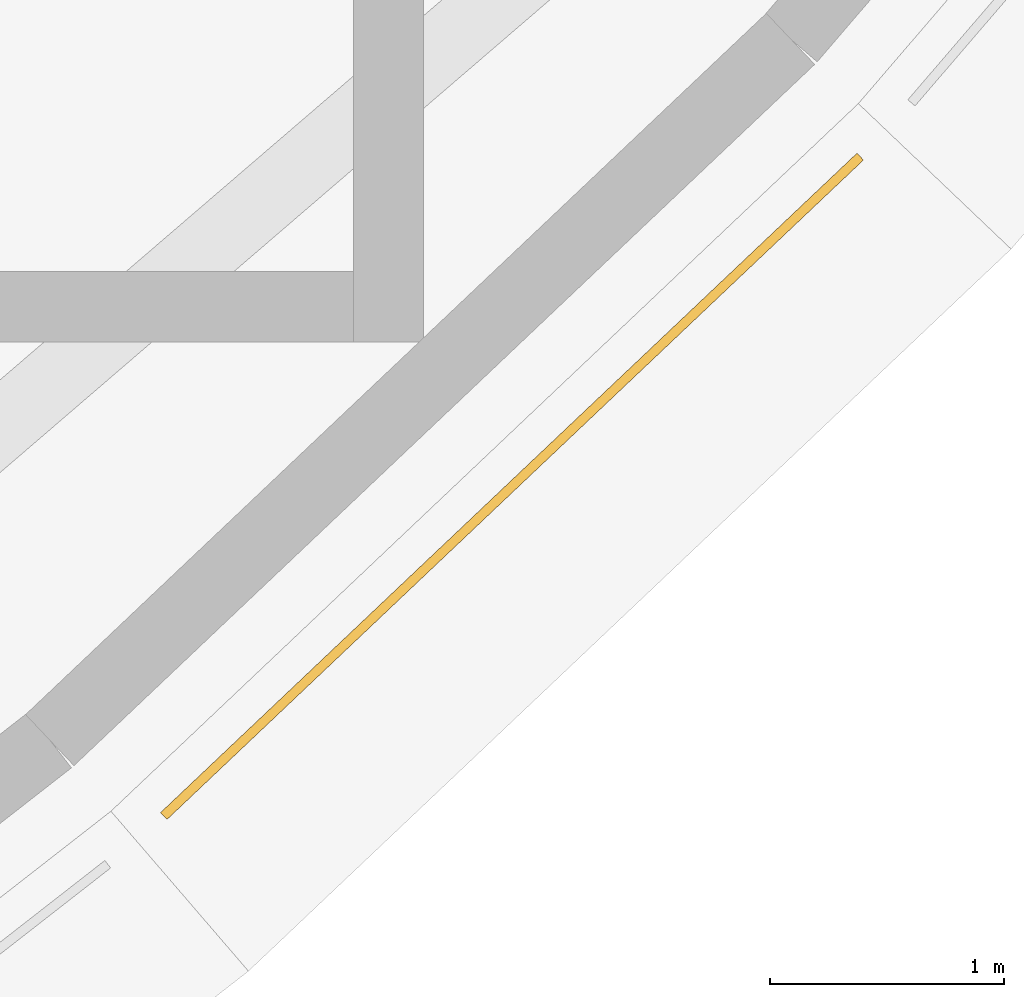
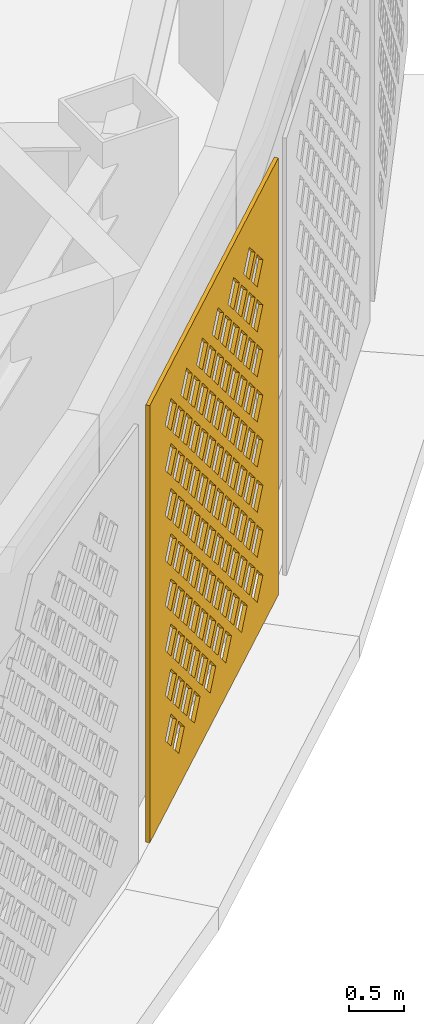
# One storey, part 59 of 63: 1 covering.
"""IFC4 building model written with IfcOpenShell, lengths in metres."""

from ifc_helpers import new_model, si_unit, direction, frame, origin, place, context, subcontext, project, spatial, polyline, outline, extrude, material, layer, layer_set, type_object, element, save


model = new_model("IFC4")

# Units and contexts
model_context = context("Model", 3, precision=1e-05, world=origin(), true_north=direction((0.0, 1.0)))
body_context = subcontext(model_context, "Body", "Model", "MODEL_VIEW")
ifc_project = project(units=[si_unit("LENGTHUNIT", "METRE"), si_unit("AREAUNIT", "SQUARE_METRE"), si_unit("VOLUMEUNIT", "CUBIC_METRE"), si_unit("PLANEANGLEUNIT", "RADIAN"), si_unit("MASSUNIT", "GRAM", prefix="KILO")], contexts=[model_context])

# Site, building, storey
site_placement = place(None, origin())
site = spatial("IfcSite", under=ifc_project, at=site_placement, CompositionType="ELEMENT")
building_placement = place(site_placement, origin())
building = spatial("IfcBuilding", under=site, at=building_placement, Name="Noorbagh Ring Tower", CompositionType="ELEMENT")
storey_placement = place(building_placement, frame((0.0, 0.0, 25.0)))
storey = spatial("IfcBuildingStorey", under=building, at=storey_placement, Name="L04", CompositionType="ELEMENT", Elevation=25.0)

# Covering
ifc_material = material(Name="Red sandstone jali", Category="masonry")
ifc_layer = layer(ifc_material, 0.0400390625)
ifc_layer_set = layer_set([ifc_layer], Name="Red sandstone jali")
covering_type = type_object("IfcCoveringType", Name="STY-JALI", PredefinedType="USERDEFINED", material=ifc_layer_set)
covering_placement = place(storey_placement, frame((38.953857421875, -26.739501953125, 0.449951171875), z_axis=(0.687531349275, -0.726154696855, 0.0), x_axis=(0.726154696855, 0.687531349275, 0.0)))
element("IfcCovering", 1, at=covering_placement, inside=storey, type_object=covering_type, Name="Jali screen", ObjectType="SCREEN", PredefinedType="USERDEFINED", context=body_context, shape_type="SweptSolid", body=[
    extrude(outline(polyline([(0.0, 0.0), (4.095947265625, 0.0), (4.095947265625, 4.85009765625), (0.0, 4.85009765625), (0.0, 0.0)]), holes=[polyline([(0.742919921875, 0.550048828125), (0.923095703125, 0.3701171875), (1.10302734375, 0.550048828125), (0.923095703125, 0.72998046875), (0.742919921875, 0.550048828125)]), polyline([(1.242919921875, 0.550048828125), (1.423095703125, 0.3701171875), (1.60302734375, 0.550048828125), (1.423095703125, 0.72998046875), (1.242919921875, 0.550048828125)]), polyline([(1.742919921875, 0.550048828125), (1.923095703125, 0.3701171875), (2.10302734375, 0.550048828125), (1.923095703125, 0.72998046875), (1.742919921875, 0.550048828125)]), polyline([(2.242919921875, 0.550048828125), (2.423095703125, 0.3701171875), (2.60302734375, 0.550048828125), (2.423095703125, 0.72998046875), (2.242919921875, 0.550048828125)]), polyline([(2.742919921875, 0.550048828125), (2.923095703125, 0.3701171875), (3.10302734375, 0.550048828125), (2.923095703125, 0.72998046875), (2.742919921875, 0.550048828125)]), polyline([(3.242919921875, 0.550048828125), (3.423095703125, 0.3701171875), (3.60302734375, 0.550048828125), (3.423095703125, 0.72998046875), (3.242919921875, 0.550048828125)]), polyline([(0.492919921875, 0.800048828125), (0.673095703125, 0.6201171875), (0.85302734375, 0.800048828125), (0.673095703125, 0.97998046875), (0.492919921875, 0.800048828125)]), polyline([(0.992919921875, 0.800048828125), (1.173095703125, 0.6201171875), (1.35302734375, 0.800048828125), (1.173095703125, 0.97998046875), (0.992919921875, 0.800048828125)]), polyline([(1.492919921875, 0.800048828125), (1.673095703125, 0.6201171875), (1.85302734375, 0.800048828125), (1.673095703125, 0.97998046875), (1.492919921875, 0.800048828125)]), polyline([(1.992919921875, 0.800048828125), (2.173095703125, 0.6201171875), (2.35302734375, 0.800048828125), (2.173095703125, 0.97998046875), (1.992919921875, 0.800048828125)]), polyline([(2.492919921875, 0.800048828125), (2.673095703125, 0.6201171875), (2.85302734375, 0.800048828125), (2.673095703125, 0.97998046875), (2.492919921875, 0.800048828125)]), polyline([(2.992919921875, 0.800048828125), (3.173095703125, 0.6201171875), (3.35302734375, 0.800048828125), (3.173095703125, 0.97998046875), (2.992919921875, 0.800048828125)]), polyline([(0.742919921875, 1.050048828125), (0.923095703125, 0.8701171875), (1.10302734375, 1.050048828125), (0.923095703125, 1.22998046875), (0.742919921875, 1.050048828125)]), polyline([(1.242919921875, 1.050048828125), (1.423095703125, 0.8701171875), (1.60302734375, 1.050048828125), (1.423095703125, 1.22998046875), (1.242919921875, 1.050048828125)]), polyline([(1.742919921875, 1.050048828125), (1.923095703125, 0.8701171875), (2.10302734375, 1.050048828125), (1.923095703125, 1.22998046875), (1.742919921875, 1.050048828125)]), polyline([(2.242919921875, 1.050048828125), (2.423095703125, 0.8701171875), (2.60302734375, 1.050048828125), (2.423095703125, 1.22998046875), (2.242919921875, 1.050048828125)]), polyline([(2.742919921875, 1.050048828125), (2.923095703125, 0.8701171875), (3.10302734375, 1.050048828125), (2.923095703125, 1.22998046875), (2.742919921875, 1.050048828125)]), polyline([(3.242919921875, 1.050048828125), (3.423095703125, 0.8701171875), (3.60302734375, 1.050048828125), (3.423095703125, 1.22998046875), (3.242919921875, 1.050048828125)]), polyline([(0.492919921875, 1.300048828125), (0.673095703125, 1.1201171875), (0.85302734375, 1.300048828125), (0.673095703125, 1.47998046875), (0.492919921875, 1.300048828125)]), polyline([(0.992919921875, 1.300048828125), (1.173095703125, 1.1201171875), (1.35302734375, 1.300048828125), (1.173095703125, 1.47998046875), (0.992919921875, 1.300048828125)]), polyline([(1.492919921875, 1.300048828125), (1.673095703125, 1.1201171875), (1.85302734375, 1.300048828125), (1.673095703125, 1.47998046875), (1.492919921875, 1.300048828125)]), polyline([(1.992919921875, 1.300048828125), (2.173095703125, 1.1201171875), (2.35302734375, 1.300048828125), (2.173095703125, 1.47998046875), (1.992919921875, 1.300048828125)]), polyline([(2.492919921875, 1.300048828125), (2.673095703125, 1.1201171875), (2.85302734375, 1.300048828125), (2.673095703125, 1.47998046875), (2.492919921875, 1.300048828125)]), polyline([(2.992919921875, 1.300048828125), (3.173095703125, 1.1201171875), (3.35302734375, 1.300048828125), (3.173095703125, 1.47998046875), (2.992919921875, 1.300048828125)]), polyline([(0.742919921875, 1.550048828125), (0.923095703125, 1.3701171875), (1.10302734375, 1.550048828125), (0.923095703125, 1.72998046875), (0.742919921875, 1.550048828125)]), polyline([(1.242919921875, 1.550048828125), (1.423095703125, 1.3701171875), (1.60302734375, 1.550048828125), (1.423095703125, 1.72998046875), (1.242919921875, 1.550048828125)]), polyline([(1.742919921875, 1.550048828125), (1.923095703125, 1.3701171875), (2.10302734375, 1.550048828125), (1.923095703125, 1.72998046875), (1.742919921875, 1.550048828125)]), polyline([(2.242919921875, 1.550048828125), (2.423095703125, 1.3701171875), (2.60302734375, 1.550048828125), (2.423095703125, 1.72998046875), (2.242919921875, 1.550048828125)]), polyline([(2.742919921875, 1.550048828125), (2.923095703125, 1.3701171875), (3.10302734375, 1.550048828125), (2.923095703125, 1.72998046875), (2.742919921875, 1.550048828125)]), polyline([(3.242919921875, 1.550048828125), (3.423095703125, 1.3701171875), (3.60302734375, 1.550048828125), (3.423095703125, 1.72998046875), (3.242919921875, 1.550048828125)]), polyline([(0.492919921875, 1.800048828125), (0.673095703125, 1.6201171875), (0.85302734375, 1.800048828125), (0.673095703125, 1.97998046875), (0.492919921875, 1.800048828125)]), polyline([(0.992919921875, 1.800048828125), (1.173095703125, 1.6201171875), (1.35302734375, 1.800048828125), (1.173095703125, 1.97998046875), (0.992919921875, 1.800048828125)]), polyline([(1.492919921875, 1.800048828125), (1.673095703125, 1.6201171875), (1.85302734375, 1.800048828125), (1.673095703125, 1.97998046875), (1.492919921875, 1.800048828125)]), polyline([(1.992919921875, 1.800048828125), (2.173095703125, 1.6201171875), (2.35302734375, 1.800048828125), (2.173095703125, 1.97998046875), (1.992919921875, 1.800048828125)]), polyline([(2.492919921875, 1.800048828125), (2.673095703125, 1.6201171875), (2.85302734375, 1.800048828125), (2.673095703125, 1.97998046875), (2.492919921875, 1.800048828125)]), polyline([(2.992919921875, 1.800048828125), (3.173095703125, 1.6201171875), (3.35302734375, 1.800048828125), (3.173095703125, 1.97998046875), (2.992919921875, 1.800048828125)]), polyline([(0.742919921875, 2.050048828125), (0.923095703125, 1.8701171875), (1.10302734375, 2.050048828125), (0.923095703125, 2.22998046875), (0.742919921875, 2.050048828125)]), polyline([(1.242919921875, 2.050048828125), (1.423095703125, 1.8701171875), (1.60302734375, 2.050048828125), (1.423095703125, 2.22998046875), (1.242919921875, 2.050048828125)]), polyline([(1.742919921875, 2.050048828125), (1.923095703125, 1.8701171875), (2.10302734375, 2.050048828125), (1.923095703125, 2.22998046875), (1.742919921875, 2.050048828125)]), polyline([(2.242919921875, 2.050048828125), (2.423095703125, 1.8701171875), (2.60302734375, 2.050048828125), (2.423095703125, 2.22998046875), (2.242919921875, 2.050048828125)]), polyline([(2.742919921875, 2.050048828125), (2.923095703125, 1.8701171875), (3.10302734375, 2.050048828125), (2.923095703125, 2.22998046875), (2.742919921875, 2.050048828125)]), polyline([(3.242919921875, 2.050048828125), (3.423095703125, 1.8701171875), (3.60302734375, 2.050048828125), (3.423095703125, 2.22998046875), (3.242919921875, 2.050048828125)]), polyline([(0.492919921875, 2.300048828125), (0.673095703125, 2.1201171875), (0.85302734375, 2.300048828125), (0.673095703125, 2.47998046875), (0.492919921875, 2.300048828125)]), polyline([(0.992919921875, 2.300048828125), (1.173095703125, 2.1201171875), (1.35302734375, 2.300048828125), (1.173095703125, 2.47998046875), (0.992919921875, 2.300048828125)]), polyline([(1.492919921875, 2.300048828125), (1.673095703125, 2.1201171875), (1.85302734375, 2.300048828125), (1.673095703125, 2.47998046875), (1.492919921875, 2.300048828125)]), polyline([(1.992919921875, 2.300048828125), (2.173095703125, 2.1201171875), (2.35302734375, 2.300048828125), (2.173095703125, 2.47998046875), (1.992919921875, 2.300048828125)]), polyline([(2.492919921875, 2.300048828125), (2.673095703125, 2.1201171875), (2.85302734375, 2.300048828125), (2.673095703125, 2.47998046875), (2.492919921875, 2.300048828125)]), polyline([(2.992919921875, 2.300048828125), (3.173095703125, 2.1201171875), (3.35302734375, 2.300048828125), (3.173095703125, 2.47998046875), (2.992919921875, 2.300048828125)]), polyline([(0.742919921875, 2.550048828125), (0.923095703125, 2.3701171875), (1.10302734375, 2.550048828125), (0.923095703125, 2.72998046875), (0.742919921875, 2.550048828125)]), polyline([(1.242919921875, 2.550048828125), (1.423095703125, 2.3701171875), (1.60302734375, 2.550048828125), (1.423095703125, 2.72998046875), (1.242919921875, 2.550048828125)]), polyline([(1.742919921875, 2.550048828125), (1.923095703125, 2.3701171875), (2.10302734375, 2.550048828125), (1.923095703125, 2.72998046875), (1.742919921875, 2.550048828125)]), polyline([(2.242919921875, 2.550048828125), (2.423095703125, 2.3701171875), (2.60302734375, 2.550048828125), (2.423095703125, 2.72998046875), (2.242919921875, 2.550048828125)]), polyline([(2.742919921875, 2.550048828125), (2.923095703125, 2.3701171875), (3.10302734375, 2.550048828125), (2.923095703125, 2.72998046875), (2.742919921875, 2.550048828125)]), polyline([(3.242919921875, 2.550048828125), (3.423095703125, 2.3701171875), (3.60302734375, 2.550048828125), (3.423095703125, 2.72998046875), (3.242919921875, 2.550048828125)]), polyline([(0.492919921875, 2.800048828125), (0.673095703125, 2.6201171875), (0.85302734375, 2.800048828125), (0.673095703125, 2.97998046875), (0.492919921875, 2.800048828125)]), polyline([(0.992919921875, 2.800048828125), (1.173095703125, 2.6201171875), (1.35302734375, 2.800048828125), (1.173095703125, 2.97998046875), (0.992919921875, 2.800048828125)]), polyline([(1.492919921875, 2.800048828125), (1.673095703125, 2.6201171875), (1.85302734375, 2.800048828125), (1.673095703125, 2.97998046875), (1.492919921875, 2.800048828125)]), polyline([(1.992919921875, 2.800048828125), (2.173095703125, 2.6201171875), (2.35302734375, 2.800048828125), (2.173095703125, 2.97998046875), (1.992919921875, 2.800048828125)]), polyline([(2.492919921875, 2.800048828125), (2.673095703125, 2.6201171875), (2.85302734375, 2.800048828125), (2.673095703125, 2.97998046875), (2.492919921875, 2.800048828125)]), polyline([(2.992919921875, 2.800048828125), (3.173095703125, 2.6201171875), (3.35302734375, 2.800048828125), (3.173095703125, 2.97998046875), (2.992919921875, 2.800048828125)]), polyline([(0.742919921875, 3.050048828125), (0.923095703125, 2.8701171875), (1.10302734375, 3.050048828125), (0.923095703125, 3.22998046875), (0.742919921875, 3.050048828125)]), polyline([(1.242919921875, 3.050048828125), (1.423095703125, 2.8701171875), (1.60302734375, 3.050048828125), (1.423095703125, 3.22998046875), (1.242919921875, 3.050048828125)]), polyline([(1.742919921875, 3.050048828125), (1.923095703125, 2.8701171875), (2.10302734375, 3.050048828125), (1.923095703125, 3.22998046875), (1.742919921875, 3.050048828125)]), polyline([(2.242919921875, 3.050048828125), (2.423095703125, 2.8701171875), (2.60302734375, 3.050048828125), (2.423095703125, 3.22998046875), (2.242919921875, 3.050048828125)]), polyline([(2.742919921875, 3.050048828125), (2.923095703125, 2.8701171875), (3.10302734375, 3.050048828125), (2.923095703125, 3.22998046875), (2.742919921875, 3.050048828125)]), polyline([(3.242919921875, 3.050048828125), (3.423095703125, 2.8701171875), (3.60302734375, 3.050048828125), (3.423095703125, 3.22998046875), (3.242919921875, 3.050048828125)]), polyline([(0.492919921875, 3.300048828125), (0.673095703125, 3.1201171875), (0.85302734375, 3.300048828125), (0.673095703125, 3.47998046875), (0.492919921875, 3.300048828125)]), polyline([(0.992919921875, 3.300048828125), (1.173095703125, 3.1201171875), (1.35302734375, 3.300048828125), (1.173095703125, 3.47998046875), (0.992919921875, 3.300048828125)]), polyline([(1.492919921875, 3.300048828125), (1.673095703125, 3.1201171875), (1.85302734375, 3.300048828125), (1.673095703125, 3.47998046875), (1.492919921875, 3.300048828125)]), polyline([(1.992919921875, 3.300048828125), (2.173095703125, 3.1201171875), (2.35302734375, 3.300048828125), (2.173095703125, 3.47998046875), (1.992919921875, 3.300048828125)]), polyline([(2.492919921875, 3.300048828125), (2.673095703125, 3.1201171875), (2.85302734375, 3.300048828125), (2.673095703125, 3.47998046875), (2.492919921875, 3.300048828125)]), polyline([(2.992919921875, 3.300048828125), (3.173095703125, 3.1201171875), (3.35302734375, 3.300048828125), (3.173095703125, 3.47998046875), (2.992919921875, 3.300048828125)]), polyline([(0.742919921875, 3.550048828125), (0.923095703125, 3.3701171875), (1.10302734375, 3.550048828125), (0.923095703125, 3.72998046875), (0.742919921875, 3.550048828125)]), polyline([(1.242919921875, 3.550048828125), (1.423095703125, 3.3701171875), (1.60302734375, 3.550048828125), (1.423095703125, 3.72998046875), (1.242919921875, 3.550048828125)]), polyline([(1.742919921875, 3.550048828125), (1.923095703125, 3.3701171875), (2.10302734375, 3.550048828125), (1.923095703125, 3.72998046875), (1.742919921875, 3.550048828125)]), polyline([(2.242919921875, 3.550048828125), (2.423095703125, 3.3701171875), (2.60302734375, 3.550048828125), (2.423095703125, 3.72998046875), (2.242919921875, 3.550048828125)]), polyline([(2.742919921875, 3.550048828125), (2.923095703125, 3.3701171875), (3.10302734375, 3.550048828125), (2.923095703125, 3.72998046875), (2.742919921875, 3.550048828125)]), polyline([(3.242919921875, 3.550048828125), (3.423095703125, 3.3701171875), (3.60302734375, 3.550048828125), (3.423095703125, 3.72998046875), (3.242919921875, 3.550048828125)]), polyline([(0.492919921875, 3.800048828125), (0.673095703125, 3.6201171875), (0.85302734375, 3.800048828125), (0.673095703125, 3.97998046875), (0.492919921875, 3.800048828125)]), polyline([(0.992919921875, 3.800048828125), (1.173095703125, 3.6201171875), (1.35302734375, 3.800048828125), (1.173095703125, 3.97998046875), (0.992919921875, 3.800048828125)]), polyline([(1.492919921875, 3.800048828125), (1.673095703125, 3.6201171875), (1.85302734375, 3.800048828125), (1.673095703125, 3.97998046875), (1.492919921875, 3.800048828125)]), polyline([(1.992919921875, 3.800048828125), (2.173095703125, 3.6201171875), (2.35302734375, 3.800048828125), (2.173095703125, 3.97998046875), (1.992919921875, 3.800048828125)]), polyline([(2.492919921875, 3.800048828125), (2.673095703125, 3.6201171875), (2.85302734375, 3.800048828125), (2.673095703125, 3.97998046875), (2.492919921875, 3.800048828125)]), polyline([(2.992919921875, 3.800048828125), (3.173095703125, 3.6201171875), (3.35302734375, 3.800048828125), (3.173095703125, 3.97998046875), (2.992919921875, 3.800048828125)]), polyline([(0.742919921875, 4.050048828125), (0.923095703125, 3.8701171875), (1.10302734375, 4.050048828125), (0.923095703125, 4.22998046875), (0.742919921875, 4.050048828125)]), polyline([(1.242919921875, 4.050048828125), (1.423095703125, 3.8701171875), (1.60302734375, 4.050048828125), (1.423095703125, 4.22998046875), (1.242919921875, 4.050048828125)]), polyline([(1.742919921875, 4.050048828125), (1.923095703125, 3.8701171875), (2.10302734375, 4.050048828125), (1.923095703125, 4.22998046875), (1.742919921875, 4.050048828125)]), polyline([(2.242919921875, 4.050048828125), (2.423095703125, 3.8701171875), (2.60302734375, 4.050048828125), (2.423095703125, 4.22998046875), (2.242919921875, 4.050048828125)]), polyline([(2.742919921875, 4.050048828125), (2.923095703125, 3.8701171875), (3.10302734375, 4.050048828125), (2.923095703125, 4.22998046875), (2.742919921875, 4.050048828125)]), polyline([(3.242919921875, 4.050048828125), (3.423095703125, 3.8701171875), (3.60302734375, 4.050048828125), (3.423095703125, 4.22998046875), (3.242919921875, 4.050048828125)]), polyline([(0.492919921875, 4.300048828125), (0.673095703125, 4.1201171875), (0.85302734375, 4.300048828125), (0.673095703125, 4.47998046875), (0.492919921875, 4.300048828125)]), polyline([(0.992919921875, 4.300048828125), (1.173095703125, 4.1201171875), (1.35302734375, 4.300048828125), (1.173095703125, 4.47998046875), (0.992919921875, 4.300048828125)]), polyline([(1.492919921875, 4.300048828125), (1.673095703125, 4.1201171875), (1.85302734375, 4.300048828125), (1.673095703125, 4.47998046875), (1.492919921875, 4.300048828125)]), polyline([(1.992919921875, 4.300048828125), (2.173095703125, 4.1201171875), (2.35302734375, 4.300048828125), (2.173095703125, 4.47998046875), (1.992919921875, 4.300048828125)]), polyline([(2.492919921875, 4.300048828125), (2.673095703125, 4.1201171875), (2.85302734375, 4.300048828125), (2.673095703125, 4.47998046875), (2.492919921875, 4.300048828125)]), polyline([(2.992919921875, 4.300048828125), (3.173095703125, 4.1201171875), (3.35302734375, 4.300048828125), (3.173095703125, 4.47998046875), (2.992919921875, 4.300048828125)])]), origin(), (0.0, 0.0, -1.0), 0.0400390625),
])

save(model, "model.ifc")
